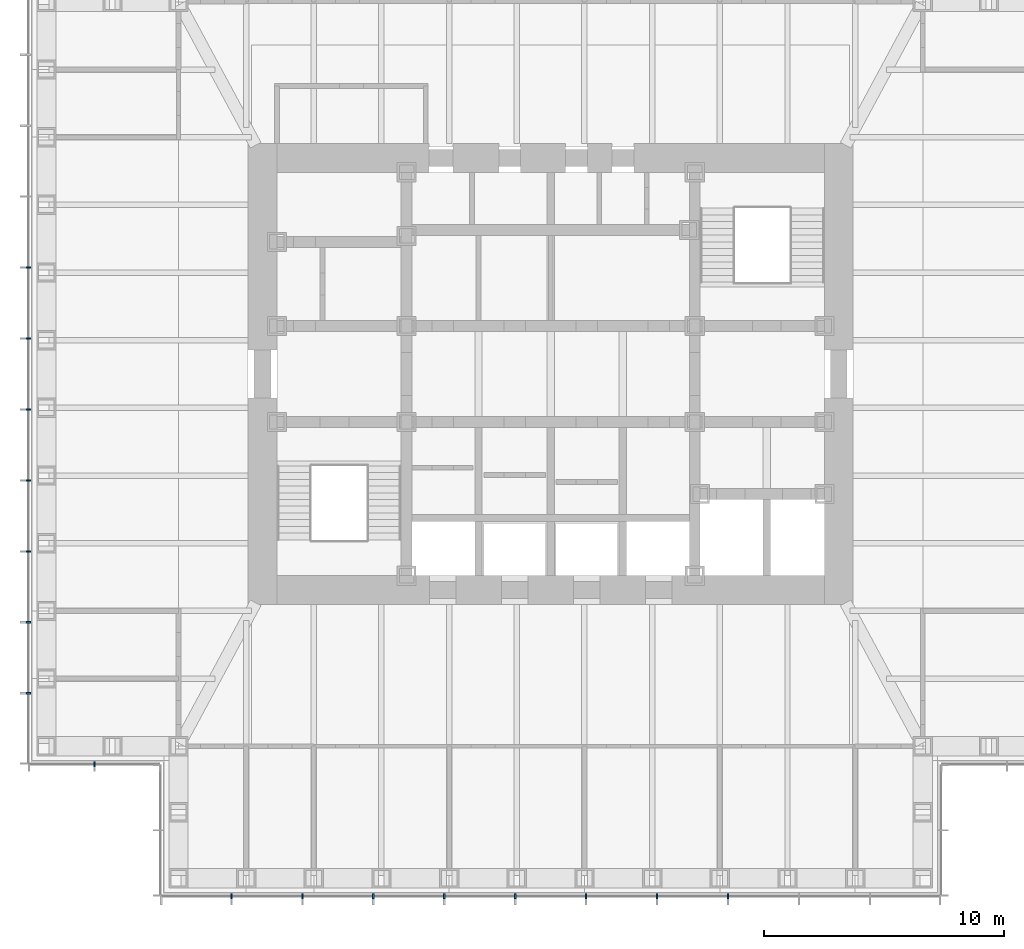
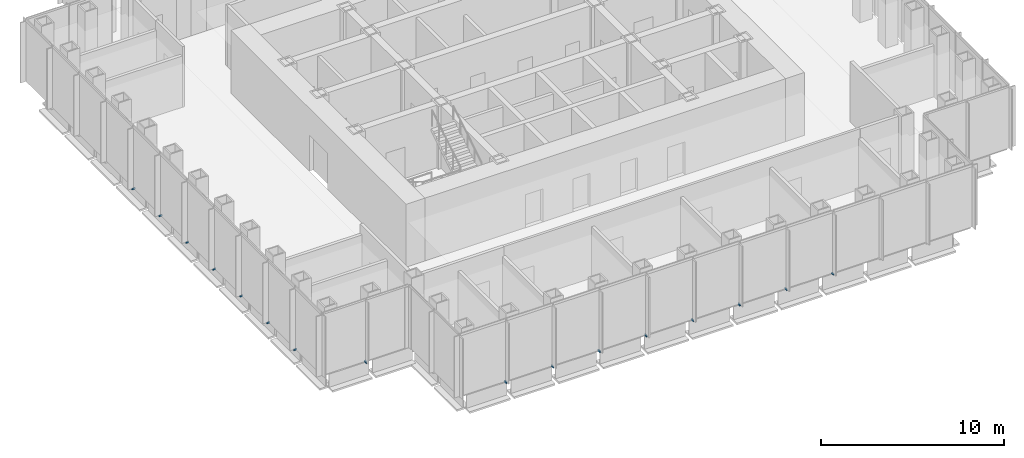
# One storey, part 12 of 17: 16 discrete accessories.
"""IFC4 building model written with IfcOpenShell, lengths in metres."""

from ifc_helpers import new_model, si_unit, direction, frame, origin, origin_2d, place, context, subcontext, project, spatial, rectangle, extrude, element, save


model = new_model("IFC4")

# Units and contexts
model_context = context("Model", 3, precision=1e-05, world=origin(), true_north=direction((0.0, 1.0)))
body_context = subcontext(model_context, "Body", "Model", "MODEL_VIEW")
ifc_project = project(units=[si_unit("LENGTHUNIT", "METRE"), si_unit("AREAUNIT", "SQUARE_METRE"), si_unit("VOLUMEUNIT", "CUBIC_METRE"), si_unit("PLANEANGLEUNIT", "RADIAN"), si_unit("MASSUNIT", "GRAM", prefix="KILO")], contexts=[model_context])

# Site, building, storey
site_placement = place(None, origin())
site = spatial("IfcSite", under=ifc_project, at=site_placement, CompositionType="ELEMENT")
building_placement = place(site_placement, origin())
building = spatial("IfcBuilding", under=site, at=building_placement, Name="Daluyong Arena Tower", CompositionType="ELEMENT")
storey_placement = place(building_placement, frame((0.0, 0.0, 223.300048828125)))
storey = spatial("IfcBuildingStorey", under=building, at=storey_placement, Name="L50", CompositionType="ELEMENT", Elevation=223.300048828125)

# Discrete accessories
for number, where, z_axis, x_axis, name in (
    (1, (42.70458984375, 58.25, -0.10009765625), (0.0, 0.0, 1.0), (1.0, 0.0, 0.0), "curtain wall L50 S anchor bracket 2"),
    (2, (45.6591796875, 58.25, -0.10009765625), (0.0, 0.0, 1.0), (1.0, 0.0, 0.0), "curtain wall L50 S anchor bracket 3"),
    (3, (48.613525390625, 58.25, -0.10009765625), (0.0, 0.0, 1.0), (1.0, 0.0, 0.0), "curtain wall L50 S anchor bracket 4"),
    (4, (51.568115234375, 58.25, -0.10009765625), (0.0, 0.0, 1.0), (1.0, 0.0, 0.0), "curtain wall L50 S anchor bracket 5"),
    (5, (54.522705078125, 58.25, -0.10009765625), (0.0, 0.0, 1.0), (1.0, 0.0, 0.0), "curtain wall L50 S anchor bracket 6"),
    (6, (57.477294921875, 58.25, -0.10009765625), (0.0, 0.0, 1.0), (1.0, 0.0, 0.0), "curtain wall L50 S anchor bracket 7"),
    (7, (60.431884765625, 58.25, -0.10009765625), (0.0, 0.0, 1.0), (1.0, 0.0, 0.0), "curtain wall L50 S anchor bracket 8"),
    (8, (63.386474609375, 58.25, -0.10009765625), (0.0, 0.0, 1.0), (1.0, 0.0, 0.0), "curtain wall L50 S anchor bracket 9"),
    (9, (34.25, 84.431884765625, -0.10009765625), (0.0, 0.0, 1.0), (0.0, -1.0, 0.0), "curtain wall L50 W anchor bracket 5"),
    (10, (34.25, 81.477294921875, -0.10009765625), (0.0, 0.0, 1.0), (0.0, -1.0, 0.0), "curtain wall L50 W anchor bracket 6"),
    (11, (34.25, 78.522705078125, -0.10009765625), (0.0, 0.0, 1.0), (0.0, -1.0, 0.0), "curtain wall L50 W anchor bracket 7"),
    (12, (34.25, 75.568115234375, -0.10009765625), (0.0, 0.0, 1.0), (0.0, -1.0, 0.0), "curtain wall L50 W anchor bracket 8"),
    (13, (34.25, 72.613525390625, -0.10009765625), (0.0, 0.0, 1.0), (0.0, -1.0, 0.0), "curtain wall L50 W anchor bracket 9"),
    (14, (34.25, 69.6591796875, -0.10009765625), (0.0, 0.0, 1.0), (0.0, -1.0, 0.0), "curtain wall L50 W anchor bracket 10"),
    (15, (34.25, 66.70458984375, -0.10009765625), (0.0, 0.0, 1.0), (0.0, -1.0, 0.0), "curtain wall L50 W anchor bracket 11"),
):
    element("IfcDiscreteAccessory", number, at=place(storey_placement, frame(where, z_axis=z_axis, x_axis=x_axis)), inside=storey, Name=name, PredefinedType="BRACKET", context=body_context, shape_type="SweptSolid", body=[
        extrude(rectangle(XDim=0.070068359375, YDim=0.199951171875, at=origin_2d()), origin(), (0.0, 0.0, 1.0), 0.10009765625),
    ])
discrete_accessory_placement = place(storey_placement, frame((37.0, 63.75, -0.10009765625), z_axis=(0.0, 0.0, 1.0), x_axis=(1.0, 0.0, 0.0)))
element("IfcDiscreteAccessory", 16, at=discrete_accessory_placement, inside=storey, Name="curtain wall L50 SW-S anchor bracket 2", PredefinedType="BRACKET", context=body_context, shape_type="SweptSolid", body=[
    extrude(rectangle(XDim=0.06005859375, YDim=0.199951171875, at=origin_2d()), origin(), (0.0, 0.0, 1.0), 0.10009765625),
])

save(model, "model.ifc")
